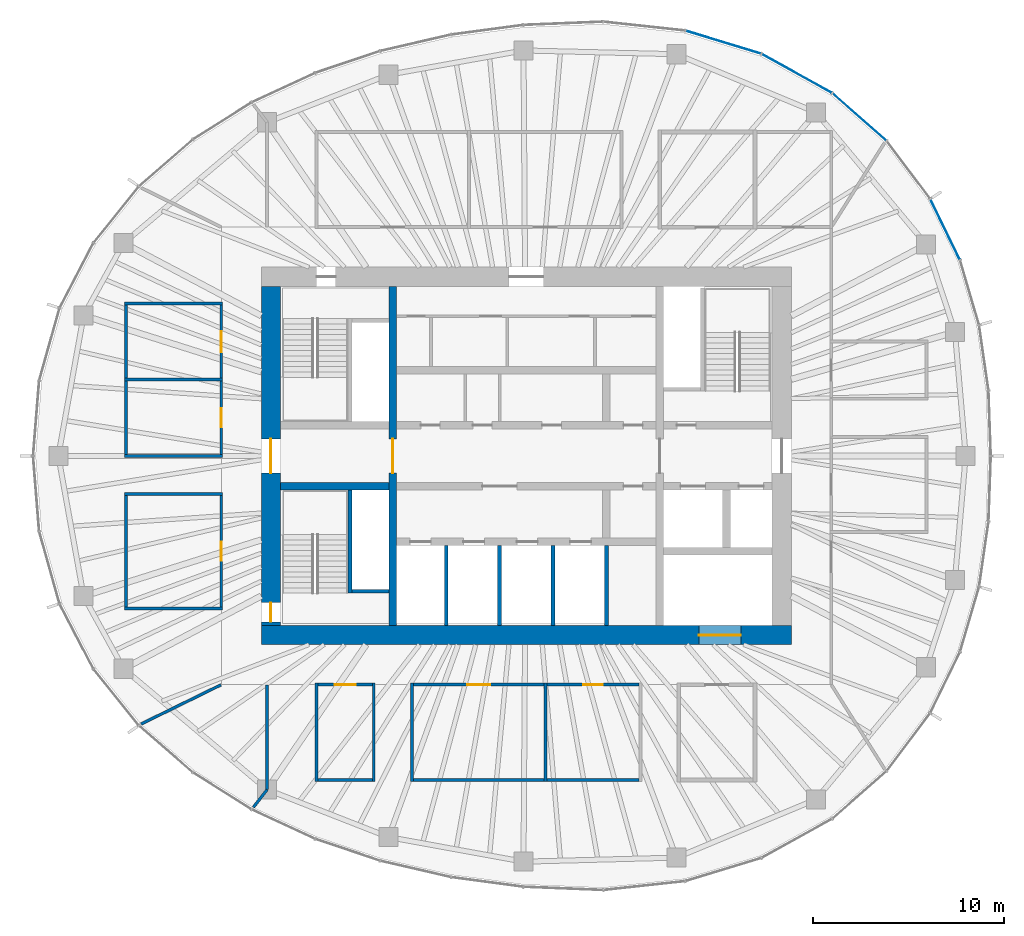
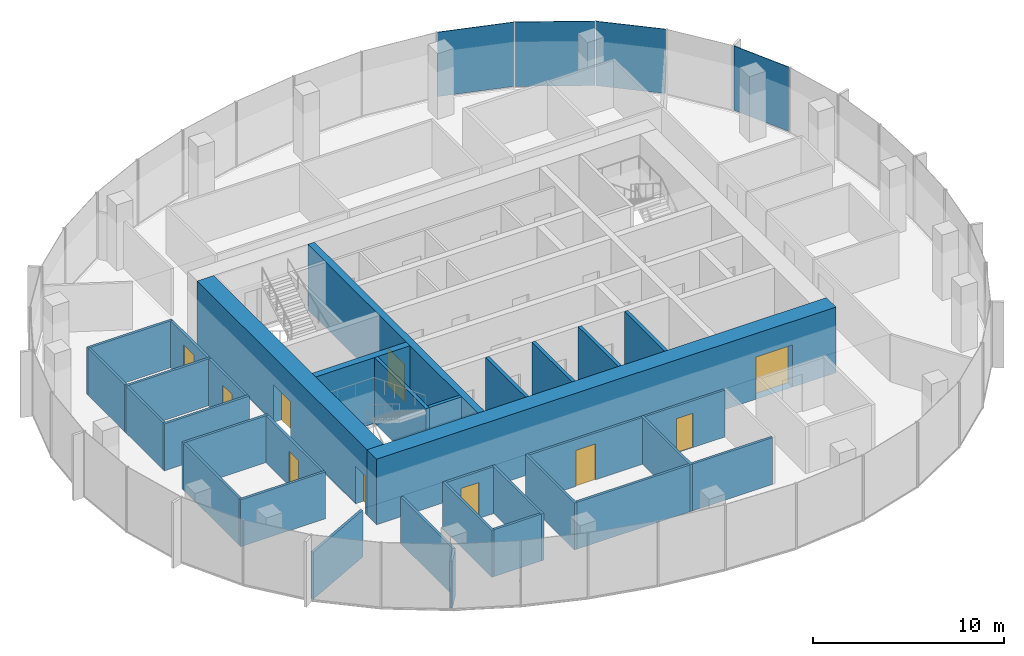
# One storey, part 8 of 12: 34 walls, 10 doors, 4 plates, 10 openings, 3 elements without a shape of their own.
"""IFC4 building model written with IfcOpenShell, lengths in metres."""

from ifc_helpers import new_model, si_unit, direction, frame, frame_2d, origin, origin_2d, place, context, subcontext, project, spatial, rectangle, extrude, material, layer, layer_set, type_object, element, fill, aggregate, save


model = new_model("IFC4")

# Units and contexts
model_context = context("Model", 3, precision=1e-05, world=origin(), true_north=direction((0.0, 1.0)))
body_context = subcontext(model_context, "Body", "Model", "MODEL_VIEW")
ifc_project = project(units=[si_unit("LENGTHUNIT", "METRE"), si_unit("AREAUNIT", "SQUARE_METRE"), si_unit("VOLUMEUNIT", "CUBIC_METRE"), si_unit("PLANEANGLEUNIT", "RADIAN"), si_unit("MASSUNIT", "GRAM", prefix="KILO")], contexts=[model_context])

# Site, building, storey
site_placement = place(None, origin())
site = spatial("IfcSite", under=ifc_project, at=site_placement, CompositionType="ELEMENT")
building_placement = place(site_placement, origin())
building = spatial("IfcBuilding", under=site, at=building_placement, Name="Ghaith Harvest Tower", CompositionType="ELEMENT")
storey_placement = place(building_placement, frame((0.0, 0.0, 304.800048828125)))
storey = spatial("IfcBuildingStorey", under=building, at=storey_placement, Name="L68", CompositionType="ELEMENT", Elevation=304.800048828125)

# Curtain wall, plate
ifc_material_1 = material(Name="Black anodised aluminium and fritted glass", Category="aluminium")
curtain_wall_type = type_object("IfcCurtainWallType", Name="CW-T CURTAIN WALL", PredefinedType="NOTDEFINED", material=ifc_material_1)
curtain_wall_1_placement = place(storey_placement, origin())
curtain_wall_1 = element("IfcCurtainWall", 1, at=curtain_wall_1_placement, inside=storey, type_object=curtain_wall_type, Name="Curtain wall CW-T bay 02 L68", PredefinedType="NOTDEFINED")
ifc_material_2 = material(Name="Glass, dark solar-control fritted double glazed unit", Category="glass")
ifc_layer_1 = layer(ifc_material_2, 0.033935546875)
ifc_layer_set_1 = layer_set([ifc_layer_1], Name="CW-T VISION PANEL")
plate_type = type_object("IfcPlateType", Name="CW-T VISION PANEL", PredefinedType="CURTAIN_PANEL", material=ifc_layer_set_1)
plate_1_placement = place(storey_placement, frame((21.9716796875, 11.878662109375, 0.079833984375), z_axis=(0.0, 0.0, 1.0), x_axis=(-0.437968365148, 0.898990384337, 0.0)))
plate_1 = element("IfcPlate", 2, at=plate_1_placement, type_object=plate_type, Name="CW-T glass unit 2 bay 02 L68", PredefinedType="CURTAIN_PANEL", context=body_context, shape_type="SweptSolid", body=[
    extrude(rectangle(XDim=3.49365234375, YDim=0.033935546875, at=origin_2d()), origin(), (0.0, 0.0, 1.0), 4.1201171875),
])
aggregate(curtain_wall_1, [plate_1])

curtain_wall_2_placement = place(storey_placement, origin())
curtain_wall_2 = element("IfcCurtainWall", 3, at=curtain_wall_2_placement, inside=storey, type_object=curtain_wall_type, Name="Curtain wall CW-T bay 03 L68", PredefinedType="NOTDEFINED")
plate_2_placement = place(storey_placement, frame((17.47509765625, 17.779541015625, 0.079833984375), z_axis=(0.0, 0.0, 1.0), x_axis=(-0.751334532416, 0.659921525941, 0.0)))
plate_2 = element("IfcPlate", 4, at=plate_2_placement, type_object=plate_type, Name="CW-T glass unit 2 bay 03 L68", PredefinedType="CURTAIN_PANEL", context=body_context, shape_type="SweptSolid", body=[
    extrude(rectangle(XDim=3.7158203125, YDim=0.033935546875, at=origin_2d()), origin(), (0.0, 0.0, 1.0), 4.1201171875),
])
aggregate(curtain_wall_2, [plate_2])

# Curtain wall, plates
curtain_wall_3_placement = place(storey_placement, origin())
curtain_wall_3 = element("IfcCurtainWall", 5, at=curtain_wall_3_placement, inside=storey, type_object=curtain_wall_type, Name="Curtain wall CW-T bay 04 L68", PredefinedType="NOTDEFINED")
plate_3_placement = place(storey_placement, frame((14.19189453125, 20.06201171875, 0.079833984375), z_axis=(0.0, 0.0, 1.0), x_axis=(-0.87456402291, 0.484910063653, 0.0)))
plate_3 = element("IfcPlate", 6, at=plate_3_placement, type_object=plate_type, Name="CW-T glass unit 1 bay 04 L68", PredefinedType="CURTAIN_PANEL", context=body_context, shape_type="SweptSolid", body=[
    extrude(rectangle(XDim=4.167724609375, YDim=0.033935546875, at=origin_2d()), origin(), (0.0, 0.0, 1.0), 4.1201171875),
])
plate_4_placement = place(storey_placement, frame((10.337158203125, 21.700439453125, 0.079833984375), z_axis=(0.0, 0.0, 1.0), x_axis=(-0.956587736124, 0.291444511181, 0.0)))
plate_4 = element("IfcPlate", 7, at=plate_4_placement, type_object=plate_type, Name="CW-T glass unit 2 bay 04 L68", PredefinedType="CURTAIN_PANEL", context=body_context, shape_type="SweptSolid", body=[
    extrude(rectangle(XDim=4.095703125, YDim=0.033935546875, at=origin_2d()), origin(), (0.0, 0.0, 1.0), 4.1201171875),
])
aggregate(curtain_wall_3, [plate_3, plate_4])

# Wall, opening, door
ifc_material_3 = material(Name="Concrete C50/60", Category="concrete")
ifc_layer_2 = layer(ifc_material_3, 1.0)
ifc_layer_set_2 = layer_set([ifc_layer_2], Name="CORE WALL CW1000")
wall_type_1 = type_object("IfcWallType", Name="CORE WALL CW1000", PredefinedType="SHEAR", material=ifc_layer_set_2)
wall_1_placement = place(storey_placement, frame((-13.89990234375, -9.39990234375, 0.0), z_axis=(0.0, 0.0, 1.0), x_axis=(1.0, 0.0, 0.0)))
wall_1 = element("IfcWall", 8, at=wall_1_placement, inside=storey, type_object=wall_type_1, Name="Core wall S L68", PredefinedType="SHEAR", context=body_context, shape_type="SweptSolid", body=[
    extrude(rectangle(XDim=27.7998046875, YDim=1.0, at=frame_2d((13.89990234375, 0.0))), origin(), (0.0, 0.0, 1.0), 4.199951171875),
])
opening_1_placement = place(wall_1_placement, frame((22.949951171875, 0.0, 0.0)))
opening_1 = element("IfcOpeningElement", 9, at=opening_1_placement, cuts=wall_1, Name="Opening 68-025", PredefinedType="OPENING", context=body_context, shape_type="SweptSolid", body=[
    extrude(rectangle(XDim=2.199951171875, YDim=2.699951171875, at=frame_2d((1.10009765625, 1.35009765625))), frame((0.0, 0.510009765625, 0.0), z_axis=(0.0, -1.0, 0.0), x_axis=(1.0, 0.0, 0.0)), (0.0, 0.0, 1.0), 1.02001953125),
])
ifc_material_4 = material(Name="Steel fire door", Category="steel")
door_type_1 = type_object("IfcDoorType", Name="LD3 LANDING 2200x2700", OperationType="DOUBLE_DOOR_SLIDING", PredefinedType="DOOR", material=ifc_material_4)
door_1_placement = place(opening_1_placement, origin())
door_1 = element("IfcDoor", 10, at=door_1_placement, inside=storey, type_object=door_type_1, Name="Landing door, goods lift GL1", OperationType="DOUBLE_DOOR_SLIDING", OverallHeight=2.699951171875, OverallWidth=2.199951171875, PredefinedType="DOOR", context=body_context, shape_type="SweptSolid", body=[
    extrude(rectangle(XDim=2.199951171875, YDim=2.699951171875, at=frame_2d((1.10009765625, 1.35009765625))), frame((0.0, 0.02490234375, 0.0), z_axis=(0.0, -1.0, 0.0), x_axis=(1.0, 0.0, 0.0)), (0.0, 0.0, 1.0), 0.050048828125),
])
fill(opening_1, door_1)

# Wall, openings, doors
wall_2_placement = place(storey_placement, frame((-13.39990234375, 8.89990234375, 0.0), z_axis=(0.0, 0.0, 1.0), x_axis=(0.0, -1.0, 0.0)))
wall_2 = element("IfcWall", 11, at=wall_2_placement, inside=storey, type_object=wall_type_1, Name="Core wall W L68", PredefinedType="SHEAR", context=body_context, shape_type="SweptSolid", body=[
    extrude(rectangle(XDim=17.7998046875, YDim=1.0, at=frame_2d((8.89990234375, 0.0))), origin(), (0.0, 0.0, 1.0), 4.199951171875),
])
opening_2_placement = place(wall_2_placement, frame((8.0, 0.0, 0.0)))
opening_2 = element("IfcOpeningElement", 12, at=opening_2_placement, cuts=wall_2, Name="Opening 68-001", PredefinedType="OPENING", context=body_context, shape_type="SweptSolid", body=[
    extrude(rectangle(XDim=1.800048828125, YDim=2.39990234375, at=frame_2d((0.89990234375, 1.199951171875))), frame((0.0, 0.510009765625, 0.0), z_axis=(0.0, -1.0, 0.0), x_axis=(1.0, 0.0, 0.0)), (0.0, 0.0, 1.0), 1.02001953125),
])
opening_3_placement = place(wall_2_placement, frame((16.60009765625, 0.0, 0.0)))
opening_3 = element("IfcOpeningElement", 13, at=opening_3_placement, cuts=wall_2, Name="Opening 68-006", PredefinedType="OPENING", context=body_context, shape_type="SweptSolid", body=[
    extrude(rectangle(XDim=1.0, YDim=2.39990234375, at=frame_2d((0.5, 1.199951171875))), frame((0.0, 0.510009765625, 0.0), z_axis=(0.0, -1.0, 0.0), x_axis=(1.0, 0.0, 0.0)), (0.0, 0.0, 1.0), 1.02001953125),
])
ifc_material_5 = material(Name="Steel fire door", Category="steel")
door_type_2 = type_object("IfcDoorType", Name="D3 FD90 1000x2400", OperationType="SINGLE_SWING_LEFT", PredefinedType="DOOR", material=ifc_material_5)
door_2_placement = place(opening_3_placement, origin())
door_2 = element("IfcDoor", 14, at=door_2_placement, inside=storey, type_object=door_type_2, Name="Stair ST3 door", OperationType="SINGLE_SWING_RIGHT", OverallHeight=2.39990234375, OverallWidth=1.0, PredefinedType="DOOR", context=body_context, shape_type="SweptSolid", body=[
    extrude(rectangle(XDim=1.0, YDim=2.39990234375, at=frame_2d((0.5, 1.199951171875))), frame((0.0, 0.02490234375, 0.0), z_axis=(0.0, -1.0, 0.0), x_axis=(1.0, 0.0, 0.0)), (0.0, 0.0, 1.0), 0.050048828125),
])
fill(opening_3, door_2)
ifc_material_6 = material(Name="Steel fire door", Category="steel")
door_type_3 = type_object("IfcDoorType", Name="D4 FD90 PAIR 1800x2400", OperationType="DOUBLE_DOOR_SINGLE_SWING", PredefinedType="DOOR", material=ifc_material_6)
door_3_placement = place(opening_2_placement, origin())
door_3 = element("IfcDoor", 15, at=door_3_placement, inside=storey, type_object=door_type_3, Name="West lobby doors", OperationType="DOUBLE_DOOR_SINGLE_SWING", OverallHeight=2.39990234375, OverallWidth=1.800048828125, PredefinedType="DOOR", context=body_context, shape_type="SweptSolid", body=[
    extrude(rectangle(XDim=1.800048828125, YDim=2.39990234375, at=frame_2d((0.89990234375, 1.199951171875))), frame((0.0, 0.02490234375, 0.0), z_axis=(0.0, -1.0, 0.0), x_axis=(1.0, 0.0, 0.0)), (0.0, 0.0, 1.0), 0.050048828125),
])
fill(opening_2, door_3)

# Walls
ifc_material_7 = material(Name="Concrete blockwork, 2-hour", Category="masonry")
ifc_layer_3 = layer(ifc_material_7, 0.199951171875)
ifc_layer_set_3 = layer_set([ifc_layer_3], Name="LIFT SHAFT WALL 200")
wall_type_2 = type_object("IfcWallType", Name="LIFT SHAFT WALL 200", PredefinedType="PARTITIONING", material=ifc_layer_set_3)
for number, where, z_axis, x_axis, name in (
    (16, (-4.199951171875, -4.699951171875, 0.0), (0.0, 0.0, 1.0), (0.0, -1.0, 0.0), "Lift shaft wall L68"),
    (17, (-1.39990234375, -4.699951171875, 0.0), (0.0, 0.0, 1.0), (0.0, -1.0, 0.0), "Lift shaft wall L68"),
    (18, (1.39990234375, -4.699951171875, 0.0), (0.0, 0.0, 1.0), (0.0, -1.0, 0.0), "Lift shaft wall L68"),
    (19, (4.199951171875, -4.699951171875, 0.0), (0.0, 0.0, 1.0), (0.0, -1.0, 0.0), "Lift shaft wall L68"),
):
    element("IfcWall", number, at=place(storey_placement, frame(where, z_axis=z_axis, x_axis=x_axis)), inside=storey, type_object=wall_type_2, Name=name, PredefinedType="PARTITIONING", context=body_context, shape_type="SweptSolid", body=[
        extrude(rectangle(XDim=4.199951171875, YDim=0.199951171875, at=frame_2d((2.10009765625, 0.0))), origin(), (0.0, 0.0, 1.0), 4.199951171875),
    ])
ifc_material_8 = material(Name="Gypsum board on steel studs", Category="steel")
ifc_layer_4 = layer(ifc_material_8, 0.14990234375)
ifc_layer_set_4 = layer_set([ifc_layer_4], Name="PARTITION 150")
wall_type_3 = type_object("IfcWallType", Name="PARTITION 150", PredefinedType="PARTITIONING", material=ifc_layer_set_4)
for number, where, z_axis, x_axis, name in (
    (20, (-6.0, -11.925048828125, 0.0), (0.0, 0.0, 1.0), (0.0, -1.0, 0.0), "Partition L68 row S3 cross wall 1"),
    (21, (1.0, -11.925048828125, 0.0), (0.0, 0.0, 1.0), (0.0, -1.0, 0.0), "Partition L68 row S3 cross wall 2"),
):
    element("IfcWall", number, at=place(storey_placement, frame(where, z_axis=z_axis, x_axis=x_axis)), inside=storey, type_object=wall_type_3, Name=name, PredefinedType="PARTITIONING", context=body_context, shape_type="SweptSolid", body=[
        extrude(rectangle(XDim=5.14990234375, YDim=0.14990234375, at=frame_2d((2.574951171875, 0.0))), origin(), (0.0, 0.0, 1.0), 3.0),
    ])

# Wall, opening, door
wall_3_placement = place(storey_placement, frame((-5.925048828125, -12.0, 0.0), z_axis=(0.0, 0.0, 1.0), x_axis=(1.0, 0.0, 0.0)))
wall_3 = element("IfcWall", 22, at=wall_3_placement, inside=storey, type_object=wall_type_3, Name="Partition L68-05", PredefinedType="PARTITIONING", context=body_context, shape_type="SweptSolid", body=[
    extrude(rectangle(XDim=6.85009765625, YDim=0.14990234375, at=frame_2d((3.425048828125, 0.0))), origin(), (0.0, 0.0, 1.0), 3.0),
])
opening_4_placement = place(wall_3_placement, frame((2.824951171875, 0.0, 0.0)))
opening_4 = element("IfcOpeningElement", 23, at=opening_4_placement, cuts=wall_3, Name="Opening 68-030", PredefinedType="OPENING", context=body_context, shape_type="SweptSolid", body=[
    extrude(rectangle(XDim=1.199951171875, YDim=2.300048828125, at=frame_2d((0.60009765625, 1.14990234375))), frame((0.0, 0.0849609375, 0.0), z_axis=(0.0, -1.0, 0.0), x_axis=(1.0, 0.0, 0.0)), (0.0, 0.0, 1.0), 0.169921875),
])
ifc_material_9 = material(Name="Timber door with vision panel", Category="wood")
door_type_4 = type_object("IfcDoorType", Name="D15 LABORATORY 1200x2300", OperationType="SINGLE_SWING_LEFT", PredefinedType="DOOR", material=ifc_material_9)
door_4_placement = place(opening_4_placement, origin())
door_4 = element("IfcDoor", 24, at=door_4_placement, inside=storey, type_object=door_type_4, Name="Crop health laboratory door", OperationType="SINGLE_SWING_LEFT", OverallHeight=2.300048828125, OverallWidth=1.199951171875, PredefinedType="DOOR", context=body_context, shape_type="SweptSolid", body=[
    extrude(rectangle(XDim=1.199951171875, YDim=2.300048828125, at=frame_2d((0.60009765625, 1.14990234375))), frame((0.0, 0.02490234375, 0.0), z_axis=(0.0, -1.0, 0.0), x_axis=(1.0, 0.0, 0.0)), (0.0, 0.0, 1.0), 0.050048828125),
])
fill(opening_4, door_4)

# Wall
wall_4_placement = place(storey_placement, frame((-5.925048828125, -17.0, 0.0), z_axis=(0.0, 0.0, 1.0), x_axis=(1.0, 0.0, 0.0)))
element("IfcWall", 25, at=wall_4_placement, inside=storey, type_object=wall_type_3, Name="Partition L68-05", PredefinedType="PARTITIONING", context=body_context, shape_type="SweptSolid", body=[
    extrude(rectangle(XDim=6.85009765625, YDim=0.14990234375, at=frame_2d((3.425048828125, 0.0))), origin(), (0.0, 0.0, 1.0), 3.0),
])

# Wall, opening, door
wall_5_placement = place(storey_placement, frame((1.074951171875, -12.0, 0.0), z_axis=(0.0, 0.0, 1.0), x_axis=(1.0, 0.0, 0.0)))
wall_5 = element("IfcWall", 26, at=wall_5_placement, inside=storey, type_object=wall_type_3, Name="Partition L68-06", PredefinedType="PARTITIONING", context=body_context, shape_type="SweptSolid", body=[
    extrude(rectangle(XDim=4.85009765625, YDim=0.14990234375, at=frame_2d((2.425048828125, 0.0))), origin(), (0.0, 0.0, 1.0), 3.0),
])
opening_5_placement = place(wall_5_placement, frame((1.925048828125, 0.0, 0.0)))
opening_5 = element("IfcOpeningElement", 27, at=opening_5_placement, cuts=wall_5, Name="Opening 68-031", PredefinedType="OPENING", context=body_context, shape_type="SweptSolid", body=[
    extrude(rectangle(XDim=1.0, YDim=2.199951171875, at=frame_2d((0.5, 1.10009765625))), frame((0.0, 0.0849609375, 0.0), z_axis=(0.0, -1.0, 0.0), x_axis=(1.0, 0.0, 0.0)), (0.0, 0.0, 1.0), 0.169921875),
])
ifc_material_10 = material(Name="Timber door", Category="wood")
door_type_5 = type_object("IfcDoorType", Name="D1 SINGLE 1000x2200", OperationType="SINGLE_SWING_LEFT", PredefinedType="DOOR", material=ifc_material_10)
door_5_placement = place(opening_5_placement, origin())
door_5 = element("IfcDoor", 28, at=door_5_placement, inside=storey, type_object=door_type_5, Name="Potting room door", OperationType="SINGLE_SWING_LEFT", OverallHeight=2.199951171875, OverallWidth=1.0, PredefinedType="DOOR", context=body_context, shape_type="SweptSolid", body=[
    extrude(rectangle(XDim=1.0, YDim=2.199951171875, at=frame_2d((0.5, 1.10009765625))), frame((0.0, 0.02490234375, 0.0), z_axis=(0.0, -1.0, 0.0), x_axis=(1.0, 0.0, 0.0)), (0.0, 0.0, 1.0), 0.050048828125),
])
fill(opening_5, door_5)

# Walls
wall_6_placement = place(storey_placement, frame((1.074951171875, -17.0, 0.0), z_axis=(0.0, 0.0, 1.0), x_axis=(1.0, 0.0, 0.0)))
element("IfcWall", 29, at=wall_6_placement, inside=storey, type_object=wall_type_3, Name="Partition L68-06", PredefinedType="PARTITIONING", context=body_context, shape_type="SweptSolid", body=[
    extrude(rectangle(XDim=4.85009765625, YDim=0.14990234375, at=frame_2d((2.425048828125, 0.0))), origin(), (0.0, 0.0, 1.0), 3.0),
])
for number, where, z_axis, x_axis, name in (
    (30, (-15.925048828125, -8.0, 0.0), (0.0, 0.0, 1.0), (-1.0, 0.0, 0.0), "Partition L68 row W5 cross wall 1"),
    (31, (-15.925048828125, -2.0, 0.0), (0.0, 0.0, 1.0), (-1.0, 0.0, 0.0), "Partition L68 row W5 cross wall 2"),
):
    element("IfcWall", number, at=place(storey_placement, frame(where, z_axis=z_axis, x_axis=x_axis)), inside=storey, type_object=wall_type_3, Name=name, PredefinedType="PARTITIONING", context=body_context, shape_type="SweptSolid", body=[
        extrude(rectangle(XDim=5.14990234375, YDim=0.14990234375, at=frame_2d((2.574951171875, 0.0))), origin(), (0.0, 0.0, 1.0), 3.0),
    ])

# Wall, opening, door
wall_7_placement = place(storey_placement, frame((-16.0, -7.925048828125, 0.0), z_axis=(0.0, 0.0, 1.0), x_axis=(0.0, 1.0, 0.0)))
wall_7 = element("IfcWall", 32, at=wall_7_placement, inside=storey, type_object=wall_type_3, Name="Partition L68-08", PredefinedType="PARTITIONING", context=body_context, shape_type="SweptSolid", body=[
    extrude(rectangle(XDim=5.85009765625, YDim=0.14990234375, at=frame_2d((2.925048828125, 0.0))), origin(), (0.0, 0.0, 1.0), 3.0),
])
opening_6_placement = place(wall_7_placement, frame((2.425048828125, 0.0, 0.0)))
opening_6 = element("IfcOpeningElement", 33, at=opening_6_placement, cuts=wall_7, Name="Opening 68-033", PredefinedType="OPENING", context=body_context, shape_type="SweptSolid", body=[
    extrude(rectangle(XDim=1.0, YDim=2.199951171875, at=frame_2d((0.5, 1.10009765625))), frame((0.0, 0.0849609375, 0.0), z_axis=(0.0, -1.0, 0.0), x_axis=(1.0, 0.0, 0.0)), (0.0, 0.0, 1.0), 0.169921875),
])
door_6_placement = place(opening_6_placement, origin())
door_6 = element("IfcDoor", 34, at=door_6_placement, inside=storey, type_object=door_type_5, Name="Potting room door", OperationType="SINGLE_SWING_LEFT", OverallHeight=2.199951171875, OverallWidth=1.0, PredefinedType="DOOR", context=body_context, shape_type="SweptSolid", body=[
    extrude(rectangle(XDim=1.0, YDim=2.199951171875, at=frame_2d((0.5, 1.10009765625))), frame((0.0, 0.02490234375, 0.0), z_axis=(0.0, -1.0, 0.0), x_axis=(1.0, 0.0, 0.0)), (0.0, 0.0, 1.0), 0.050048828125),
])
fill(opening_6, door_6)

# Walls
wall_8_placement = place(storey_placement, frame((-21.0, -7.925048828125, 0.0), z_axis=(0.0, 0.0, 1.0), x_axis=(0.0, 1.0, 0.0)))
element("IfcWall", 35, at=wall_8_placement, inside=storey, type_object=wall_type_3, Name="Partition L68-08", PredefinedType="PARTITIONING", context=body_context, shape_type="SweptSolid", body=[
    extrude(rectangle(XDim=5.85009765625, YDim=0.14990234375, at=frame_2d((2.925048828125, 0.0))), origin(), (0.0, 0.0, 1.0), 3.0),
])
for number, where, z_axis, x_axis, name in (
    (36, (-11.0, -11.925048828125, 0.0), (0.0, 0.0, 1.0), (0.0, -1.0, 0.0), "Partition L68 row S7 cross wall 1"),
    (37, (-8.0, -11.925048828125, 0.0), (0.0, 0.0, 1.0), (0.0, -1.0, 0.0), "Partition L68 row S7 cross wall 2"),
):
    element("IfcWall", number, at=place(storey_placement, frame(where, z_axis=z_axis, x_axis=x_axis)), inside=storey, type_object=wall_type_3, Name=name, PredefinedType="PARTITIONING", context=body_context, shape_type="SweptSolid", body=[
        extrude(rectangle(XDim=5.14990234375, YDim=0.14990234375, at=frame_2d((2.574951171875, 0.0))), origin(), (0.0, 0.0, 1.0), 3.0),
    ])

# Wall, opening, door
wall_9_placement = place(storey_placement, frame((-10.925048828125, -12.0, 0.0), z_axis=(0.0, 0.0, 1.0), x_axis=(1.0, 0.0, 0.0)))
wall_9 = element("IfcWall", 38, at=wall_9_placement, inside=storey, type_object=wall_type_3, Name="Partition L68-10", PredefinedType="PARTITIONING", context=body_context, shape_type="SweptSolid", body=[
    extrude(rectangle(XDim=2.85009765625, YDim=0.14990234375, at=frame_2d((1.425048828125, 0.0))), origin(), (0.0, 0.0, 1.0), 3.0),
])
opening_7_placement = place(wall_9_placement, frame((0.875, 0.0, 0.0)))
opening_7 = element("IfcOpeningElement", 39, at=opening_7_placement, cuts=wall_9, Name="Opening 68-035", PredefinedType="OPENING", context=body_context, shape_type="SweptSolid", body=[
    extrude(rectangle(XDim=1.10009765625, YDim=2.300048828125, at=frame_2d((0.550048828125, 1.14990234375))), frame((0.0, 0.0849609375, 0.0), z_axis=(0.0, -1.0, 0.0), x_axis=(1.0, 0.0, 0.0)), (0.0, 0.0, 1.0), 0.169921875),
])
ifc_material_11 = material(Name="Timber-framed glazed door", Category="wood")
door_type_6 = type_object("IfcDoorType", Name="D12 GLAZED OFFICE 1100x2300", OperationType="SINGLE_SWING_LEFT", PredefinedType="DOOR", material=ifc_material_11)
door_7_placement = place(opening_7_placement, origin())
door_7 = element("IfcDoor", 40, at=door_7_placement, inside=storey, type_object=door_type_6, Name="Office door", OperationType="SINGLE_SWING_LEFT", OverallHeight=2.300048828125, OverallWidth=1.10009765625, PredefinedType="DOOR", context=body_context, shape_type="SweptSolid", body=[
    extrude(rectangle(XDim=1.10009765625, YDim=2.300048828125, at=frame_2d((0.550048828125, 1.14990234375))), frame((0.0, 0.02490234375, 0.0), z_axis=(0.0, -1.0, 0.0), x_axis=(1.0, 0.0, 0.0)), (0.0, 0.0, 1.0), 0.050048828125),
])
fill(opening_7, door_7)

# Walls
wall_10_placement = place(storey_placement, frame((-10.925048828125, -17.0, 0.0), z_axis=(0.0, 0.0, 1.0), x_axis=(1.0, 0.0, 0.0)))
element("IfcWall", 41, at=wall_10_placement, inside=storey, type_object=wall_type_3, Name="Partition L68-10", PredefinedType="PARTITIONING", context=body_context, shape_type="SweptSolid", body=[
    extrude(rectangle(XDim=2.85009765625, YDim=0.14990234375, at=frame_2d((1.425048828125, 0.0))), origin(), (0.0, 0.0, 1.0), 3.0),
])
for number, where, z_axis, x_axis, name in (
    (42, (-15.925048828125, 0.0, 0.0), (0.0, 0.0, 1.0), (-1.0, 0.0, 0.0), "Partition L68 row W9 cross wall 1"),
    (43, (-15.925048828125, 4.0, 0.0), (0.0, 0.0, 1.0), (-1.0, 0.0, 0.0), "Partition L68 row W9 cross wall 2"),
    (44, (-15.925048828125, 8.0, 0.0), (0.0, 0.0, 1.0), (-1.0, 0.0, 0.0), "Partition L68 row W9 cross wall 3"),
):
    element("IfcWall", number, at=place(storey_placement, frame(where, z_axis=z_axis, x_axis=x_axis)), inside=storey, type_object=wall_type_3, Name=name, PredefinedType="PARTITIONING", context=body_context, shape_type="SweptSolid", body=[
        extrude(rectangle(XDim=5.14990234375, YDim=0.14990234375, at=frame_2d((2.574951171875, 0.0))), origin(), (0.0, 0.0, 1.0), 3.0),
    ])

# Wall, opening, door
wall_11_placement = place(storey_placement, frame((-16.0, 0.074951171875, 0.0), z_axis=(0.0, 0.0, 1.0), x_axis=(0.0, 1.0, 0.0)))
wall_11 = element("IfcWall", 45, at=wall_11_placement, inside=storey, type_object=wall_type_3, Name="Partition L68-12", PredefinedType="PARTITIONING", context=body_context, shape_type="SweptSolid", body=[
    extrude(rectangle(XDim=3.85009765625, YDim=0.14990234375, at=frame_2d((1.925048828125, 0.0))), origin(), (0.0, 0.0, 1.0), 3.0),
])
opening_8_placement = place(wall_11_placement, frame((1.425048828125, 0.0, 0.0)))
opening_8 = element("IfcOpeningElement", 46, at=opening_8_placement, cuts=wall_11, Name="Opening 68-037", PredefinedType="OPENING", context=body_context, shape_type="SweptSolid", body=[
    extrude(rectangle(XDim=1.0, YDim=2.199951171875, at=frame_2d((0.5, 1.10009765625))), frame((0.0, 0.0849609375, 0.0), z_axis=(0.0, -1.0, 0.0), x_axis=(1.0, 0.0, 0.0)), (0.0, 0.0, 1.0), 0.169921875),
])
door_8_placement = place(opening_8_placement, origin())
door_8 = element("IfcDoor", 47, at=door_8_placement, inside=storey, type_object=door_type_5, Name="Growing media store door", OperationType="SINGLE_SWING_LEFT", OverallHeight=2.199951171875, OverallWidth=1.0, PredefinedType="DOOR", context=body_context, shape_type="SweptSolid", body=[
    extrude(rectangle(XDim=1.0, YDim=2.199951171875, at=frame_2d((0.5, 1.10009765625))), frame((0.0, 0.02490234375, 0.0), z_axis=(0.0, -1.0, 0.0), x_axis=(1.0, 0.0, 0.0)), (0.0, 0.0, 1.0), 0.050048828125),
])
fill(opening_8, door_8)

# Wall
wall_12_placement = place(storey_placement, frame((-21.0, 0.074951171875, 0.0), z_axis=(0.0, 0.0, 1.0), x_axis=(0.0, 1.0, 0.0)))
element("IfcWall", 48, at=wall_12_placement, inside=storey, type_object=wall_type_3, Name="Partition L68-12", PredefinedType="PARTITIONING", context=body_context, shape_type="SweptSolid", body=[
    extrude(rectangle(XDim=3.85009765625, YDim=0.14990234375, at=frame_2d((1.925048828125, 0.0))), origin(), (0.0, 0.0, 1.0), 3.0),
])

# Wall, opening, door
wall_13_placement = place(storey_placement, frame((-16.0, 4.074951171875, 0.0), z_axis=(0.0, 0.0, 1.0), x_axis=(0.0, 1.0, 0.0)))
wall_13 = element("IfcWall", 49, at=wall_13_placement, inside=storey, type_object=wall_type_3, Name="Partition L68-13", PredefinedType="PARTITIONING", context=body_context, shape_type="SweptSolid", body=[
    extrude(rectangle(XDim=3.85009765625, YDim=0.14990234375, at=frame_2d((1.925048828125, 0.0))), origin(), (0.0, 0.0, 1.0), 3.0),
])
opening_9_placement = place(wall_13_placement, frame((1.375, 0.0, 0.0)))
opening_9 = element("IfcOpeningElement", 50, at=opening_9_placement, cuts=wall_13, Name="Opening 68-038", PredefinedType="OPENING", context=body_context, shape_type="SweptSolid", body=[
    extrude(rectangle(XDim=1.10009765625, YDim=2.300048828125, at=frame_2d((0.550048828125, 1.14990234375))), frame((0.0, 0.0849609375, 0.0), z_axis=(0.0, -1.0, 0.0), x_axis=(1.0, 0.0, 0.0)), (0.0, 0.0, 1.0), 0.169921875),
])
door_9_placement = place(opening_9_placement, origin())
door_9 = element("IfcDoor", 51, at=door_9_placement, inside=storey, type_object=door_type_6, Name="Crop office door", OperationType="SINGLE_SWING_LEFT", OverallHeight=2.300048828125, OverallWidth=1.10009765625, PredefinedType="DOOR", context=body_context, shape_type="SweptSolid", body=[
    extrude(rectangle(XDim=1.10009765625, YDim=2.300048828125, at=frame_2d((0.550048828125, 1.14990234375))), frame((0.0, 0.02490234375, 0.0), z_axis=(0.0, -1.0, 0.0), x_axis=(1.0, 0.0, 0.0)), (0.0, 0.0, 1.0), 0.050048828125),
])
fill(opening_9, door_9)

# Walls
wall_14_placement = place(storey_placement, frame((-21.0, 4.074951171875, 0.0), z_axis=(0.0, 0.0, 1.0), x_axis=(0.0, 1.0, 0.0)))
element("IfcWall", 52, at=wall_14_placement, inside=storey, type_object=wall_type_3, Name="Partition L68-13", PredefinedType="PARTITIONING", context=body_context, shape_type="SweptSolid", body=[
    extrude(rectangle(XDim=3.85009765625, YDim=0.14990234375, at=frame_2d((1.925048828125, 0.0))), origin(), (0.0, 0.0, 1.0), 3.0),
])
wall_15_placement = place(storey_placement, frame((-16.017822265625, -12.0087890625, 0.0), z_axis=(0.0, 0.0, 1.0), x_axis=(-0.897771840996, -0.440460805879, 0.0)))
element("IfcWall", 53, at=wall_15_placement, inside=storey, type_object=wall_type_3, Name="Partition L68 zone division", PredefinedType="PARTITIONING", context=body_context, shape_type="SweptSolid", body=[
    extrude(rectangle(XDim=4.66552734375, YDim=0.14990234375, at=frame_2d((2.332763671875, 0.0))), origin(), (0.0, 0.0, 1.0), 3.0),
])
wall_16_placement = place(storey_placement, frame((-13.594970703125, -12.02001953125, 0.0), z_axis=(0.0, 0.0, 1.0), x_axis=(0.0, -1.0, 0.0)))
element("IfcWall", 54, at=wall_16_placement, inside=storey, type_object=wall_type_3, Name="Partition L68 zone division", PredefinedType="PARTITIONING", context=body_context, shape_type="SweptSolid", body=[
    extrude(rectangle(XDim=5.48486328125, YDim=0.14990234375, at=frame_2d((2.742431640625, 0.0))), origin(), (0.0, 0.0, 1.0), 3.0),
])
wall_17_placement = place(storey_placement, frame((-13.594970703125, -17.5048828125, 0.0), z_axis=(0.0, 0.0, 1.0), x_axis=(-0.61332442804, -0.789831086986, 0.0)))
element("IfcWall", 55, at=wall_17_placement, inside=storey, type_object=wall_type_3, Name="Partition L68 zone division", PredefinedType="PARTITIONING", context=body_context, shape_type="SweptSolid", body=[
    extrude(rectangle(XDim=1.179931640625, YDim=0.14990234375, at=frame_2d((0.58984375, 0.0))), origin(), (0.0, 0.0, 1.0), 3.0),
])

# Wall, opening, door
ifc_material_12 = material(Name="Concrete C70/85", Category="concrete")
ifc_layer_5 = layer(ifc_material_12, 0.39990234375)
ifc_layer_set_5 = layer_set([ifc_layer_5], Name="SHAFT WALL 400")
wall_type_4 = type_object("IfcWallType", Name="SHAFT WALL 400", PredefinedType="SHEAR", material=ifc_layer_set_5)
wall_18_placement = place(storey_placement, frame((-7.0, -8.89990234375, 0.0), z_axis=(0.0, 0.0, 1.0), x_axis=(0.0, 1.0, 0.0)))
wall_18 = element("IfcWall", 56, at=wall_18_placement, inside=storey, type_object=wall_type_4, Name="Shaft wall W7W L68", PredefinedType="SHEAR", context=body_context, shape_type="SweptSolid", body=[
    extrude(rectangle(XDim=17.7998046875, YDim=0.39990234375, at=frame_2d((8.89990234375, 0.0))), origin(), (0.0, 0.0, 1.0), 4.199951171875),
])
opening_10_placement = place(wall_18_placement, frame((8.0, 0.0, 0.0)))
opening_10 = element("IfcOpeningElement", 57, at=opening_10_placement, cuts=wall_18, Name="Opening 68-003", PredefinedType="OPENING", context=body_context, shape_type="SweptSolid", body=[
    extrude(rectangle(XDim=1.800048828125, YDim=2.39990234375, at=frame_2d((0.89990234375, 1.199951171875))), frame((0.0, 0.2099609375, 0.0), z_axis=(0.0, -1.0, 0.0), x_axis=(1.0, 0.0, 0.0)), (0.0, 0.0, 1.0), 0.419921875),
])
door_10_placement = place(opening_10_placement, origin())
door_10 = element("IfcDoor", 58, at=door_10_placement, inside=storey, type_object=door_type_3, Name="Lift lobby doors, west", OperationType="DOUBLE_DOOR_SINGLE_SWING", OverallHeight=2.39990234375, OverallWidth=1.800048828125, PredefinedType="DOOR", context=body_context, shape_type="SweptSolid", body=[
    extrude(rectangle(XDim=1.800048828125, YDim=2.39990234375, at=frame_2d((0.89990234375, 1.199951171875))), frame((0.0, 0.02490234375, 0.0), z_axis=(0.0, -1.0, 0.0), x_axis=(1.0, 0.0, 0.0)), (0.0, 0.0, 1.0), 0.050048828125),
])
fill(opening_10, door_10)

# Walls
wall_19_placement = place(storey_placement, frame((-12.89990234375, -1.60009765625, 0.0), z_axis=(0.0, 0.0, 1.0), x_axis=(1.0, 0.0, 0.0)))
element("IfcWall", 59, at=wall_19_placement, inside=storey, type_object=wall_type_4, Name="Shaft wall WS L68", PredefinedType="SHEAR", context=body_context, shape_type="SweptSolid", body=[
    extrude(rectangle(XDim=5.699951171875, YDim=0.39990234375, at=frame_2d((2.85009765625, 0.0))), origin(), (0.0, 0.0, 1.0), 4.199951171875),
])
ifc_material_13 = material(Name="Concrete C40/50", Category="concrete")
ifc_layer_6 = layer(ifc_material_13, 0.199951171875)
ifc_layer_set_6 = layer_set([ifc_layer_6], Name="STAIR SPINE WALL RC200")
wall_type_5 = type_object("IfcWallType", Name="STAIR SPINE WALL RC200", PredefinedType="SOLIDWALL", material=ifc_layer_set_6)
wall_20_placement = place(storey_placement, frame((-9.25, -7.199951171875, 0.0), z_axis=(0.0, 0.0, 1.0), x_axis=(0.0, 1.0, 0.0)))
element("IfcWall", 60, at=wall_20_placement, inside=storey, type_object=wall_type_5, Name="Stair ST3 spine wall L68", PredefinedType="SOLIDWALL", context=body_context, shape_type="SweptSolid", body=[
    extrude(rectangle(XDim=5.39990234375, YDim=0.199951171875, at=frame_2d((2.699951171875, 0.0))), origin(), (0.0, 0.0, 1.0), 4.199951171875),
])
wall_21_placement = place(storey_placement, frame((-9.14990234375, -7.10009765625, 0.0), z_axis=(0.0, 0.0, 1.0), x_axis=(1.0, 0.0, 0.0)))
element("IfcWall", 61, at=wall_21_placement, inside=storey, type_object=wall_type_5, Name="Stair ST3 spine wall return L68", PredefinedType="SOLIDWALL", context=body_context, shape_type="SweptSolid", body=[
    extrude(rectangle(XDim=1.949951171875, YDim=0.199951171875, at=frame_2d((0.97509765625, 0.0))), origin(), (0.0, 0.0, 1.0), 4.199951171875),
])

save(model, "model.ifc")
